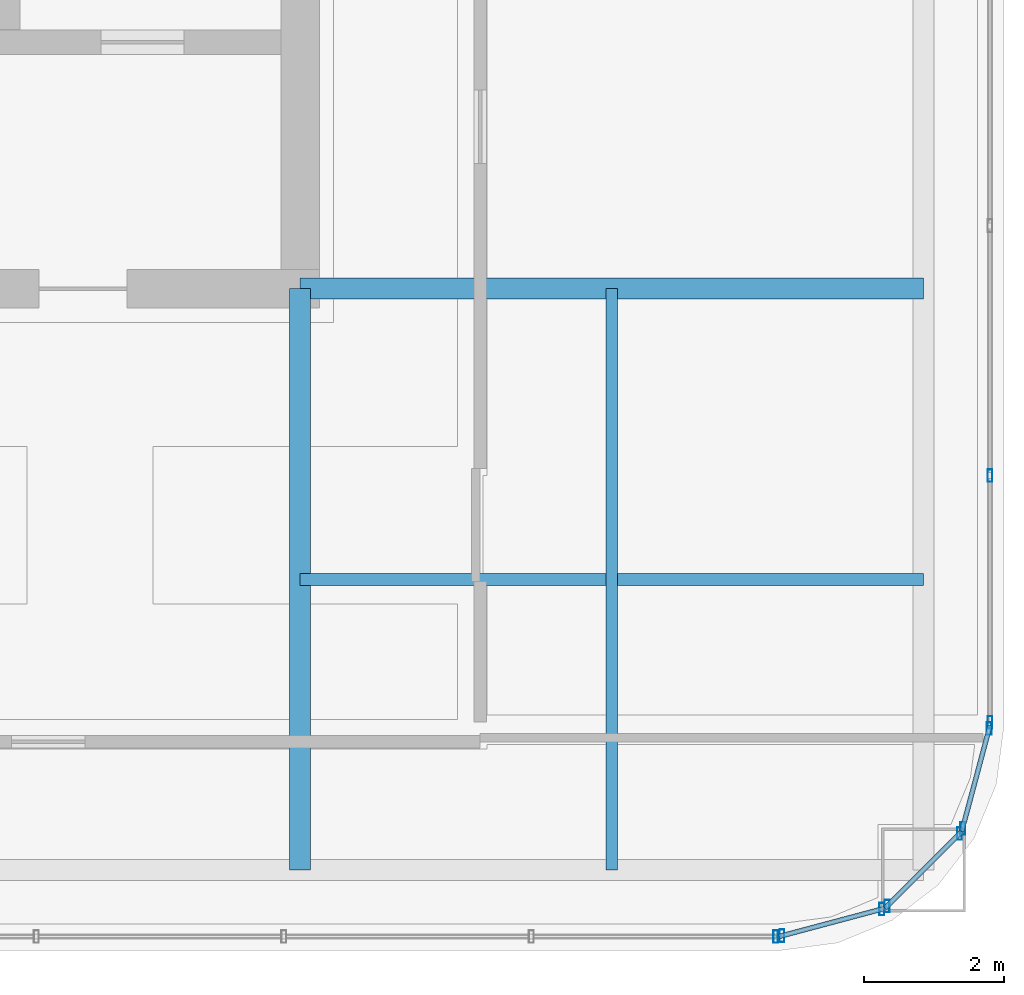
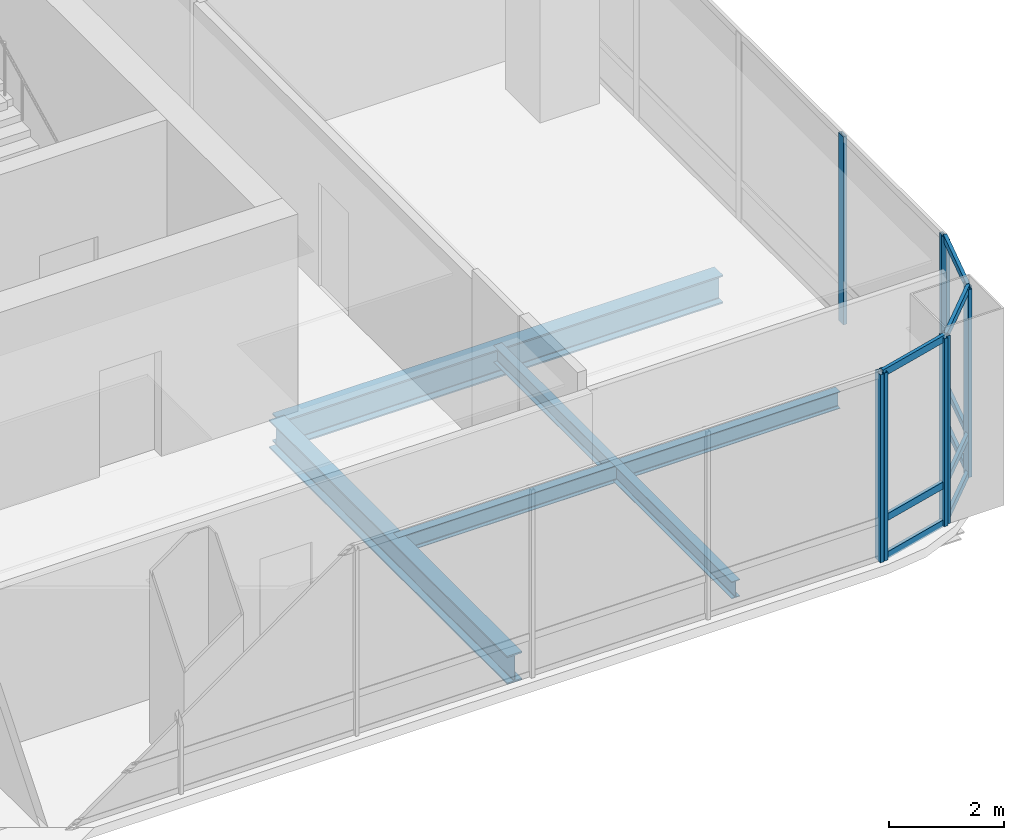
# One storey, part 16 of 41: 18 members, 4 beams, 5 elements without a shape of their own.
"""IFC4 building model written with IfcOpenShell, lengths in metres."""

from ifc_helpers import new_model, si_unit, direction, frame, origin, origin_2d, place, context, subcontext, project, spatial, hollow_rectangle, i_section, extrude, material, material_profile, profile_set, type_object, element, aggregate, save


model = new_model("IFC4")

# Units and contexts
model_context = context("Model", 3, precision=1e-05, world=origin(), true_north=direction((0.0, 1.0)))
body_context = subcontext(model_context, "Body", "Model", "MODEL_VIEW")
ifc_project = project(units=[si_unit("LENGTHUNIT", "METRE"), si_unit("AREAUNIT", "SQUARE_METRE"), si_unit("VOLUMEUNIT", "CUBIC_METRE"), si_unit("PLANEANGLEUNIT", "RADIAN"), si_unit("MASSUNIT", "GRAM", prefix="KILO")], contexts=[model_context])

# Site, building, storey
site_placement = place(None, origin())
site = spatial("IfcSite", under=ifc_project, at=site_placement, CompositionType="ELEMENT")
building_placement = place(site_placement, origin())
building = spatial("IfcBuilding", under=site, at=building_placement, Name="Punatoya Terracotta Tower", CompositionType="ELEMENT")
storey_placement = place(building_placement, frame((0.0, 0.0, 288.0)))
storey = spatial("IfcBuildingStorey", under=building, at=storey_placement, Name="L68", CompositionType="ELEMENT", Elevation=288.0)

# Beams
ifc_material_1 = material(Name="Steel S355", Category="steel")
ifc_material_profile_1 = material_profile(ifc_material_1, i_section(OverallWidth=0.300048828125, OverallDepth=0.60009765625, WebThickness=0.015380859375, FlangeThickness=0.030029296875, FilletRadius=0.01806640625, at=origin_2d()))
ifc_profile_set_1 = profile_set([ifc_material_profile_1], Name="Steel S355")
beam_type_1 = type_object("IfcBeamType", Name="BM-PRI-600", PredefinedType="BEAM", material=ifc_profile_set_1)
beam_1_placement = place(storey_placement, frame((10.199951171875, -9.199951171875, -0.5), z_axis=(1.0, 0.0, 0.0), x_axis=(0.0, 1.0, 0.0)))
element("IfcBeam", 1, at=beam_1_placement, inside=storey, type_object=beam_type_1, Name="BM-L68-PR-ES", PredefinedType="BEAM", context=body_context, shape_type="SweptSolid", body=[
    extrude(i_section(OverallWidth=0.300048828125, OverallDepth=0.60009765625, WebThickness=0.015380859375, FlangeThickness=0.030029296875, FilletRadius=0.01806640625, at=origin_2d()), origin(), (0.0, 0.0, 1.0), 8.900146484375),
])
beam_2_placement = place(storey_placement, frame((10.199951171875, -17.5, -0.5), z_axis=(0.0, 1.0, 0.0), x_axis=(-1.0, 0.0, 0.0)))
element("IfcBeam", 2, at=beam_2_placement, inside=storey, type_object=beam_type_1, Name="BM-L68-PR-S4", PredefinedType="BEAM", context=body_context, shape_type="SweptSolid", body=[
    extrude(i_section(OverallWidth=0.300048828125, OverallDepth=0.60009765625, WebThickness=0.015380859375, FlangeThickness=0.030029296875, FilletRadius=0.01806640625, at=origin_2d()), origin(), (0.0, 0.0, 1.0), 8.300048828125),
])
ifc_material_profile_2 = material_profile(ifc_material_1, i_section(OverallWidth=0.169921875, OverallDepth=0.360107421875, WebThickness=0.008056640625, FlangeThickness=0.0126953125, FilletRadius=0.01806640625, at=origin_2d()))
ifc_profile_set_2 = profile_set([ifc_material_profile_2], Name="Steel S355")
beam_type_2 = type_object("IfcBeamType", Name="BM-SEC-360", PredefinedType="JOIST", material=ifc_profile_set_2)
beam_3_placement = place(storey_placement, frame((10.199951171875, -13.35009765625, -0.3798828125), z_axis=(1.0, 0.0, 0.0), x_axis=(0.0, 1.0, 0.0)))
element("IfcBeam", 3, at=beam_3_placement, inside=storey, type_object=beam_type_2, Name="BM-L68-SJS-2", PredefinedType="JOIST", context=body_context, shape_type="SweptSolid", body=[
    extrude(i_section(OverallWidth=0.169921875, OverallDepth=0.360107421875, WebThickness=0.008056640625, FlangeThickness=0.0126953125, FilletRadius=0.01806640625, at=origin_2d()), origin(), (0.0, 0.0, 1.0), 8.900146484375),
])
beam_4_placement = place(storey_placement, frame((14.64990234375, -17.5, -0.3798828125), z_axis=(0.0, 1.0, 0.0), x_axis=(-1.0, 0.0, 0.0)))
element("IfcBeam", 4, at=beam_4_placement, inside=storey, type_object=beam_type_2, Name="BM-L68-SJE-1", PredefinedType="JOIST", context=body_context, shape_type="SweptSolid", body=[
    extrude(i_section(OverallWidth=0.169921875, OverallDepth=0.360107421875, WebThickness=0.008056640625, FlangeThickness=0.0126953125, FilletRadius=0.01806640625, at=origin_2d()), origin(), (0.0, 0.0, 1.0), 8.300048828125),
])

# Curtain wall, member
ifc_material_2 = material(Name="Aluminium 6063-T6 + Double Low-E Glass", Category="aluminium")
curtain_wall_type = type_object("IfcCurtainWallType", Name="CW-M3", PredefinedType="NOTDEFINED", material=ifc_material_2)
curtain_wall_1_placement = place(storey_placement, origin())
curtain_wall_1 = element("IfcCurtainWall", 5, at=curtain_wall_1_placement, inside=storey, type_object=curtain_wall_type, Name="L68 Curtain Wall CW-L68-S01-1", PredefinedType="NOTDEFINED")
ifc_material_3 = material(Name="Aluminium 6063-T6", Category="aluminium")
ifc_material_profile_3 = material_profile(ifc_material_3, hollow_rectangle(XDim=0.070068359375, YDim=0.179931640625, WallThickness=0.00390625, at=origin_2d()))
ifc_profile_set_3 = profile_set([ifc_material_profile_3], Name="Aluminium 6063-T6")
member_type_1 = type_object("IfcMemberType", Name="CW-MUL-M3", PredefinedType="MULLION", material=ifc_profile_set_3)
member_1_placement = place(storey_placement, frame((16.991943359375, -18.449951171875, 0.0), z_axis=(0.0, 0.0, 1.0), x_axis=(1.0, 0.0, 0.0)))
member_1 = element("IfcMember", 6, at=member_1_placement, type_object=member_type_1, Name="CW-L68-S01-1 Mullion 11", PredefinedType="MULLION", context=body_context, shape_type="SweptSolid", body=[
    extrude(hollow_rectangle(XDim=0.070068359375, YDim=0.179931640625, WallThickness=0.00390625, at=origin_2d()), origin(), (0.0, 0.0, 1.0), 4.0),
])
aggregate(curtain_wall_1, [member_1])

# Curtain wall, members
curtain_wall_2_placement = place(storey_placement, origin())
curtain_wall_2 = element("IfcCurtainWall", 7, at=curtain_wall_2_placement, inside=storey, type_object=curtain_wall_type, Name="L68 Curtain Wall CW-L68-CRN02", PredefinedType="NOTDEFINED")
member_2_placement = place(storey_placement, frame((17.080322265625, -18.4384765625, 0.0), z_axis=(0.0, 0.0, 1.0), x_axis=(1.0, 0.0, 0.0)))
member_2 = element("IfcMember", 8, at=member_2_placement, type_object=member_type_1, Name="CW-L68-CRN02 Mullion 00", PredefinedType="MULLION", context=body_context, shape_type="SweptSolid", body=[
    extrude(hollow_rectangle(XDim=0.070068359375, YDim=0.179931640625, WallThickness=0.00390625, at=origin_2d()), origin(), (0.0, 0.0, 1.0), 4.0),
])
member_3_placement = place(storey_placement, frame((18.505615234375, -18.05810546875, 0.0), z_axis=(0.0, 0.0, 1.0), x_axis=(1.0, 0.0, 0.0)))
member_3 = element("IfcMember", 9, at=member_3_placement, type_object=member_type_1, Name="CW-L68-CRN02 Mullion 01", PredefinedType="MULLION", context=body_context, shape_type="SweptSolid", body=[
    extrude(hollow_rectangle(XDim=0.070068359375, YDim=0.179931640625, WallThickness=0.00390625, at=origin_2d()), origin(), (0.0, 0.0, 1.0), 4.0),
])

curtain_wall_3_placement = place(storey_placement, origin())
curtain_wall_3 = element("IfcCurtainWall", 10, at=curtain_wall_3_placement, inside=storey, type_object=curtain_wall_type, Name="L68 Curtain Wall CW-L68-CRN03", PredefinedType="NOTDEFINED")
member_4_placement = place(storey_placement, frame((18.580810546875, -18.014892578125, 0.0), z_axis=(0.0, 0.0, 1.0), x_axis=(1.0, 0.0, 0.0)))
member_4 = element("IfcMember", 11, at=member_4_placement, type_object=member_type_1, Name="CW-L68-CRN03 Mullion 00", PredefinedType="MULLION", context=body_context, shape_type="SweptSolid", body=[
    extrude(hollow_rectangle(XDim=0.070068359375, YDim=0.179931640625, WallThickness=0.00390625, at=origin_2d()), origin(), (0.0, 0.0, 1.0), 4.0),
])
member_5_placement = place(storey_placement, frame((19.61474609375, -16.98095703125, 0.0), z_axis=(0.0, 0.0, 1.0), x_axis=(1.0, 0.0, 0.0)))
member_5 = element("IfcMember", 12, at=member_5_placement, type_object=member_type_1, Name="CW-L68-CRN03 Mullion 01", PredefinedType="MULLION", context=body_context, shape_type="SweptSolid", body=[
    extrude(hollow_rectangle(XDim=0.070068359375, YDim=0.179931640625, WallThickness=0.00390625, at=origin_2d()), origin(), (0.0, 0.0, 1.0), 4.0),
])

curtain_wall_4_placement = place(storey_placement, origin())
curtain_wall_4 = element("IfcCurtainWall", 13, at=curtain_wall_4_placement, inside=storey, type_object=curtain_wall_type, Name="L68 Curtain Wall CW-L68-CRN04", PredefinedType="NOTDEFINED")
member_6_placement = place(storey_placement, frame((19.658203125, -16.905517578125, 0.0), z_axis=(0.0, 0.0, 1.0), x_axis=(1.0, 0.0, 0.0)))
member_6 = element("IfcMember", 14, at=member_6_placement, type_object=member_type_1, Name="CW-L68-CRN04 Mullion 00", PredefinedType="MULLION", context=body_context, shape_type="SweptSolid", body=[
    extrude(hollow_rectangle(XDim=0.070068359375, YDim=0.179931640625, WallThickness=0.00390625, at=origin_2d()), origin(), (0.0, 0.0, 1.0), 4.0),
])
member_7_placement = place(storey_placement, frame((20.038330078125, -15.48046875, 0.0), z_axis=(0.0, 0.0, 1.0), x_axis=(1.0, 0.0, 0.0)))
member_7 = element("IfcMember", 15, at=member_7_placement, type_object=member_type_1, Name="CW-L68-CRN04 Mullion 01", PredefinedType="MULLION", context=body_context, shape_type="SweptSolid", body=[
    extrude(hollow_rectangle(XDim=0.070068359375, YDim=0.179931640625, WallThickness=0.00390625, at=origin_2d()), origin(), (0.0, 0.0, 1.0), 4.0),
])

curtain_wall_5_placement = place(storey_placement, origin())
curtain_wall_5 = element("IfcCurtainWall", 16, at=curtain_wall_5_placement, inside=storey, type_object=curtain_wall_type, Name="L68 Curtain Wall CW-L68-E05-1", PredefinedType="NOTDEFINED")
member_8_placement = place(storey_placement, frame((20.050048828125, -15.391845703125, 0.0), z_axis=(0.0, 0.0, 1.0), x_axis=(1.0, 0.0, 0.0)))
member_8 = element("IfcMember", 17, at=member_8_placement, type_object=member_type_1, Name="CW-L68-E05-1 Mullion 00", PredefinedType="MULLION", context=body_context, shape_type="SweptSolid", body=[
    extrude(hollow_rectangle(XDim=0.070068359375, YDim=0.179931640625, WallThickness=0.00390625, at=origin_2d()), origin(), (0.0, 0.0, 1.0), 4.0),
])
member_9_placement = place(storey_placement, frame((20.050048828125, -11.869384765625, 0.0), z_axis=(0.0, 0.0, 1.0), x_axis=(1.0, 0.0, 0.0)))
member_9 = element("IfcMember", 18, at=member_9_placement, type_object=member_type_1, Name="CW-L68-E05-1 Mullion 01", PredefinedType="MULLION", context=body_context, shape_type="SweptSolid", body=[
    extrude(hollow_rectangle(XDim=0.070068359375, YDim=0.179931640625, WallThickness=0.00390625, at=origin_2d()), origin(), (0.0, 0.0, 1.0), 4.0),
])
aggregate(curtain_wall_5, [member_8, member_9])

# Member
ifc_material_profile_4 = material_profile(ifc_material_3, hollow_rectangle(XDim=0.068115234375, YDim=0.14990234375, WallThickness=0.00390625, at=origin_2d()))
ifc_profile_set_4 = profile_set([ifc_material_profile_4], Name="Aluminium 6063-T6")
member_type_2 = type_object("IfcMemberType", Name="CW-TRN-TYP", PredefinedType="USERDEFINED", material=ifc_profile_set_4)
member_10_placement = place(storey_placement, frame((17.036865234375, -18.449951171875, 0.0400390625), z_axis=(0.966224582397, 0.257701486942, 0.0), x_axis=(-0.257701486942, 0.966224582397, 0.0)))
member_10 = element("IfcMember", 19, at=member_10_placement, type_object=member_type_2, Name="CW-L68-CRN02 Transom 1", ObjectType="TRANSOM", PredefinedType="USERDEFINED", context=body_context, shape_type="SweptSolid", body=[
    extrude(hollow_rectangle(XDim=0.068115234375, YDim=0.14990234375, WallThickness=0.00390625, at=origin_2d()), origin(), (0.0, 0.0, 1.0), 1.565185546875),
])

member_11_placement = place(storey_placement, frame((17.036865234375, -18.449951171875, 0.85009765625), z_axis=(0.966224582397, 0.257701486942, 0.0), x_axis=(-0.257701486942, 0.966224582397, 0.0)))
member_11 = element("IfcMember", 20, at=member_11_placement, type_object=member_type_2, Name="CW-L68-CRN02 Transom 2", ObjectType="TRANSOM", PredefinedType="USERDEFINED", context=body_context, shape_type="SweptSolid", body=[
    extrude(hollow_rectangle(XDim=0.068115234375, YDim=0.14990234375, WallThickness=0.00390625, at=origin_2d()), origin(), (0.0, 0.0, 1.0), 1.565185546875),
])

member_12_placement = place(storey_placement, frame((17.036865234375, -18.449951171875, 3.9599609375), z_axis=(0.966224582397, 0.257701486942, 0.0), x_axis=(-0.257701486942, 0.966224582397, 0.0)))
member_12 = element("IfcMember", 21, at=member_12_placement, type_object=member_type_2, Name="CW-L68-CRN02 Transom 3", ObjectType="TRANSOM", PredefinedType="USERDEFINED", context=body_context, shape_type="SweptSolid", body=[
    extrude(hollow_rectangle(XDim=0.068115234375, YDim=0.14990234375, WallThickness=0.00390625, at=origin_2d()), origin(), (0.0, 0.0, 1.0), 1.565185546875),
])

aggregate(curtain_wall_2, [member_2, member_3, member_10, member_11, member_12])

member_13_placement = place(storey_placement, frame((18.549072265625, -18.046630859375, 0.0400390625), z_axis=(0.707106781187, 0.707106781187, 0.0), x_axis=(-0.707106781187, 0.707106781187, 0.0)))
member_13 = element("IfcMember", 22, at=member_13_placement, type_object=member_type_2, Name="CW-L68-CRN03 Transom 1", ObjectType="TRANSOM", PredefinedType="USERDEFINED", context=body_context, shape_type="SweptSolid", body=[
    extrude(hollow_rectangle(XDim=0.068115234375, YDim=0.14990234375, WallThickness=0.00390625, at=origin_2d()), origin(), (0.0, 0.0, 1.0), 1.552001953125),
])

member_14_placement = place(storey_placement, frame((18.549072265625, -18.046630859375, 0.85009765625), z_axis=(0.707106781187, 0.707106781187, 0.0), x_axis=(-0.707106781187, 0.707106781187, 0.0)))
member_14 = element("IfcMember", 23, at=member_14_placement, type_object=member_type_2, Name="CW-L68-CRN03 Transom 2", ObjectType="TRANSOM", PredefinedType="USERDEFINED", context=body_context, shape_type="SweptSolid", body=[
    extrude(hollow_rectangle(XDim=0.068115234375, YDim=0.14990234375, WallThickness=0.00390625, at=origin_2d()), origin(), (0.0, 0.0, 1.0), 1.552001953125),
])

member_15_placement = place(storey_placement, frame((18.549072265625, -18.046630859375, 3.9599609375), z_axis=(0.707106781187, 0.707106781187, 0.0), x_axis=(-0.707106781187, 0.707106781187, 0.0)))
member_15 = element("IfcMember", 24, at=member_15_placement, type_object=member_type_2, Name="CW-L68-CRN03 Transom 3", ObjectType="TRANSOM", PredefinedType="USERDEFINED", context=body_context, shape_type="SweptSolid", body=[
    extrude(hollow_rectangle(XDim=0.068115234375, YDim=0.14990234375, WallThickness=0.00390625, at=origin_2d()), origin(), (0.0, 0.0, 1.0), 1.552001953125),
])

aggregate(curtain_wall_3, [member_4, member_5, member_13, member_14, member_15])

member_16_placement = place(storey_placement, frame((19.646484375, -16.94921875, 0.0400390625), z_axis=(0.257847112249, 0.966185730957, 0.0), x_axis=(-0.966185730957, 0.257847112249, 0.0)))
member_16 = element("IfcMember", 25, at=member_16_placement, type_object=member_type_2, Name="CW-L68-CRN04 Transom 1", ObjectType="TRANSOM", PredefinedType="USERDEFINED", context=body_context, shape_type="SweptSolid", body=[
    extrude(hollow_rectangle(XDim=0.068115234375, YDim=0.14990234375, WallThickness=0.00390625, at=origin_2d()), origin(), (0.0, 0.0, 1.0), 1.565185546875),
])

member_17_placement = place(storey_placement, frame((19.646484375, -16.94921875, 0.85009765625), z_axis=(0.257847112249, 0.966185730957, 0.0), x_axis=(-0.966185730957, 0.257847112249, 0.0)))
member_17 = element("IfcMember", 26, at=member_17_placement, type_object=member_type_2, Name="CW-L68-CRN04 Transom 2", ObjectType="TRANSOM", PredefinedType="USERDEFINED", context=body_context, shape_type="SweptSolid", body=[
    extrude(hollow_rectangle(XDim=0.068115234375, YDim=0.14990234375, WallThickness=0.00390625, at=origin_2d()), origin(), (0.0, 0.0, 1.0), 1.565185546875),
])

member_18_placement = place(storey_placement, frame((19.646484375, -16.94921875, 3.9599609375), z_axis=(0.257847112249, 0.966185730957, 0.0), x_axis=(-0.966185730957, 0.257847112249, 0.0)))
member_18 = element("IfcMember", 27, at=member_18_placement, type_object=member_type_2, Name="CW-L68-CRN04 Transom 3", ObjectType="TRANSOM", PredefinedType="USERDEFINED", context=body_context, shape_type="SweptSolid", body=[
    extrude(hollow_rectangle(XDim=0.068115234375, YDim=0.14990234375, WallThickness=0.00390625, at=origin_2d()), origin(), (0.0, 0.0, 1.0), 1.565185546875),
])

aggregate(curtain_wall_4, [member_6, member_7, member_16, member_17, member_18])

save(model, "model.ifc")
